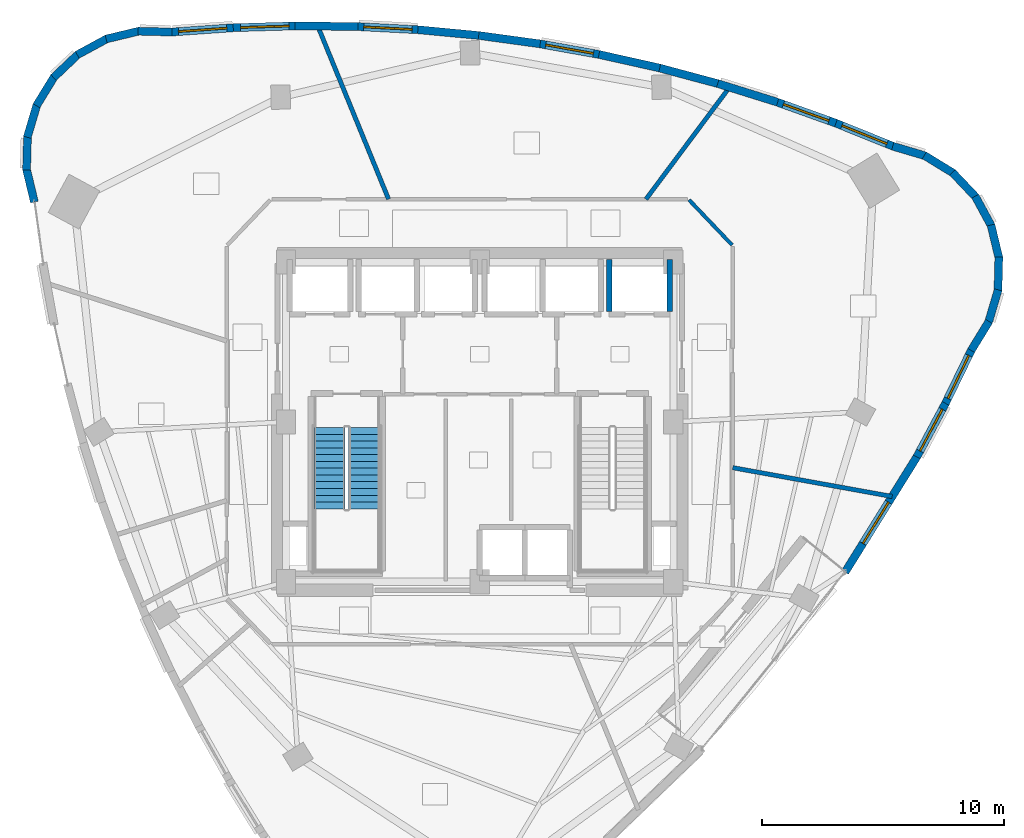
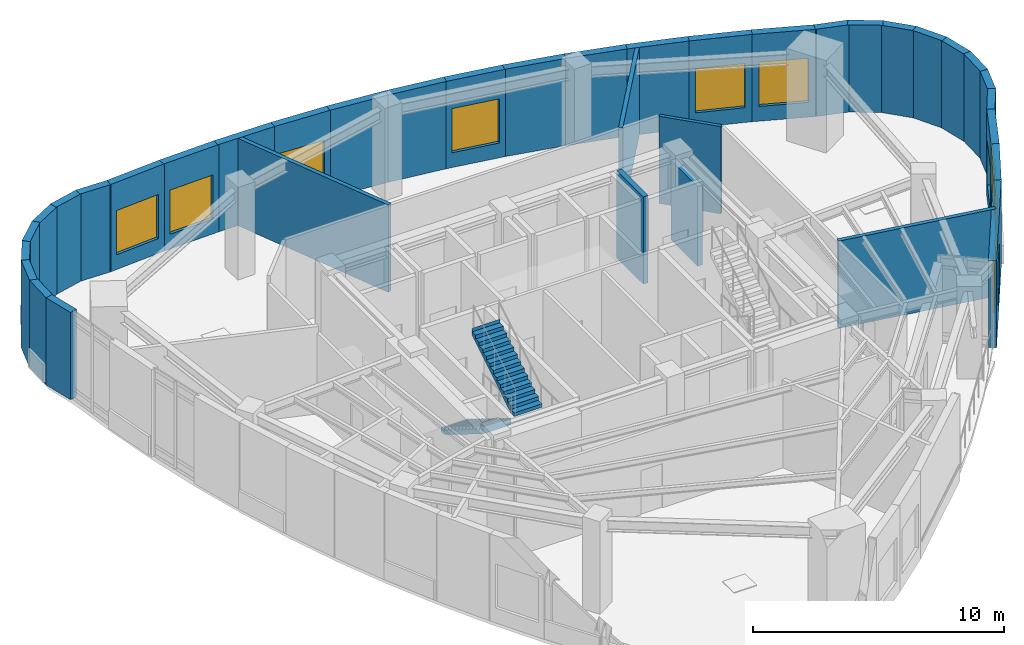
# One storey, part 10 of 14: 37 walls, 9 windows, 2 stair flights, 9 openings, 1 element without a shape of its own.
"""IFC4 building model written with IfcOpenShell, lengths in metres."""

from ifc_helpers import new_model, si_unit, direction, frame, frame_2d, origin, place, context, subcontext, project, spatial, polyline, rectangle, outline, extrude, material, layer, layer_set, type_object, element, fill, aggregate, save


model = new_model("IFC4")

# Units and contexts
model_context = context("Model", 3, precision=1e-05, world=origin(), true_north=direction((0.0, 1.0)))
body_context = subcontext(model_context, "Body", "Model", "MODEL_VIEW")
ifc_project = project(units=[si_unit("LENGTHUNIT", "METRE"), si_unit("AREAUNIT", "SQUARE_METRE"), si_unit("VOLUMEUNIT", "CUBIC_METRE"), si_unit("PLANEANGLEUNIT", "RADIAN"), si_unit("MASSUNIT", "GRAM", prefix="KILO")], contexts=[model_context])

# Site, building, storey
site_placement = place(None, origin())
site = spatial("IfcSite", under=ifc_project, at=site_placement, CompositionType="ELEMENT")
building_placement = place(site_placement, origin())
building = spatial("IfcBuilding", under=site, at=building_placement, Name="Ndelora Gate Hotel", CompositionType="ELEMENT")
storey_placement = place(building_placement, frame((0.0, 0.0, 178.25)))
storey = spatial("IfcBuildingStorey", under=building, at=storey_placement, Name="L44", CompositionType="ELEMENT", Elevation=178.25)

# Walls
ifc_material_1 = material(Name="Acoustic Double-Stud Gypsum Assembly", Category="gypsum")
ifc_layer_1 = layer(ifc_material_1, 0.179931640625)
ifc_layer_set_1 = layer_set([ifc_layer_1], Name="Acoustic Double-Stud Gypsum Assembly")
wall_type_1 = type_object("IfcWallType", Name="WL-ACOUST-180", PredefinedType="PARTITIONING", material=ifc_layer_set_1)
wall_1_placement = place(storey_placement, frame((10.449951171875, -1.8896484375, 0.0), z_axis=(0.0, 0.0, 1.0), x_axis=(0.984042819354, -0.177931811879, 0.0)))
element("IfcWall", 1, at=wall_1_placement, inside=storey, type_object=wall_type_1, Name="L44 Interior Wall IW-3", PredefinedType="PARTITIONING", context=body_context, shape_type="SweptSolid", body=[
    extrude(rectangle(XDim=6.691650390625, YDim=0.179931640625, at=frame_2d((3.345703125, 0.0))), origin(), (0.0, 0.0, 1.0), 4.25),
])
wall_2_placement = place(storey_placement, frame((6.866455078125, 9.199951171875, 0.0), z_axis=(0.0, 0.0, 1.0), x_axis=(0.598116454099, 0.80140920093, 0.0)))
element("IfcWall", 2, at=wall_2_placement, inside=storey, type_object=wall_type_1, Name="L44 Interior Wall IW-3", PredefinedType="PARTITIONING", context=body_context, shape_type="SweptSolid", body=[
    extrude(rectangle(XDim=5.7705078125, YDim=0.179931640625, at=frame_2d((2.88525390625, 0.0))), origin(), (0.0, 0.0, 1.0), 4.25),
])
wall_3_placement = place(storey_placement, frame((-3.763916015625, 9.199951171875, 0.0), z_axis=(0.0, 0.0, 1.0), x_axis=(-0.378637768392, 0.92554494237, 0.0)))
element("IfcWall", 3, at=wall_3_placement, inside=storey, type_object=wall_type_1, Name="L44 Interior Wall IW-3", PredefinedType="PARTITIONING", context=body_context, shape_type="SweptSolid", body=[
    extrude(rectangle(XDim=7.724609375, YDim=0.179931640625, at=frame_2d((3.8623046875, 0.0))), origin(), (0.0, 0.0, 1.0), 4.25),
])
ifc_material_2 = material(Name="Clay Brick Masonry", Category="masonry")
ifc_layer_2 = layer(ifc_material_2, 0.330078125)
ifc_layer_set_2 = layer_set([ifc_layer_2], Name="Clay Brick Masonry")
wall_type_2 = type_object("IfcWallType", Name="WL-BRICK-330", PredefinedType="SOLIDWALL", material=ifc_layer_set_2)
wall_4_placement = place(storey_placement, frame((-14.11279296875, 16.14013671875, 0.0), z_axis=(0.0, 0.0, 1.0), x_axis=(0.999656913907, -0.02619264168, 0.0)))
element("IfcWall", 4, at=wall_4_placement, inside=storey, type_object=wall_type_2, Name="L44 Tower Brick Pier-and-Spandrel Wall TWR-1", PredefinedType="SOLIDWALL", context=body_context, shape_type="SweptSolid", body=[
    extrude(rectangle(XDim=1.407470703125, YDim=0.330078125, at=frame_2d((0.70361328125, 0.0))), origin(), (0.0, 0.0, 1.0), 4.25),
])
wall_5_placement = place(storey_placement, frame((-15.43212890625, 15.81689453125, 0.0), z_axis=(0.0, 0.0, 1.0), x_axis=(0.972395175274, 0.233340144647, 0.0)))
element("IfcWall", 5, at=wall_5_placement, inside=storey, type_object=wall_type_2, Name="L44 Tower Brick Pier-and-Spandrel Wall TWR-2", PredefinedType="SOLIDWALL", context=body_context, shape_type="SweptSolid", body=[
    extrude(rectangle(XDim=1.4072265625, YDim=0.330078125, at=frame_2d((0.70361328125, 0.0))), origin(), (0.0, 0.0, 1.0), 4.25),
])
for number, where, z_axis, x_axis, name in (
    (6, (-16.622802734375, 15.1630859375, 0.0), (0.0, 0.0, 1.0), (0.8789012206, 0.47700382014, 0.0), "L44 Tower Brick Pier-and-Spandrel Wall TWR-3"),
    (7, (-17.603515625, 14.22314453125, 0.0), (0.0, 0.0, 1.0), (0.725254907563, 0.688480442028, 0.0), "L44 Tower Brick Pier-and-Spandrel Wall TWR-4"),
):
    element("IfcWall", number, at=place(storey_placement, frame(where, z_axis=z_axis, x_axis=x_axis)), inside=storey, type_object=wall_type_2, Name=name, PredefinedType="SOLIDWALL", context=body_context, shape_type="SweptSolid", body=[
        extrude(rectangle(XDim=1.407470703125, YDim=0.330078125, at=frame_2d((0.70361328125, 0.0))), origin(), (0.0, 0.0, 1.0), 4.25),
    ])
wall_6_placement = place(storey_placement, frame((-18.307861328125, 13.061767578125, 0.0), z_axis=(0.0, 0.0, 1.0), x_axis=(0.522509174355, 0.852633662668, 0.0)))
element("IfcWall", 8, at=wall_6_placement, inside=storey, type_object=wall_type_2, Name="L44 Tower Brick Pier-and-Spandrel Wall TWR-5", PredefinedType="SOLIDWALL", context=body_context, shape_type="SweptSolid", body=[
    extrude(rectangle(XDim=1.4072265625, YDim=0.330078125, at=frame_2d((0.70361328125, 0.0))), origin(), (0.0, 0.0, 1.0), 4.25),
])
wall_7_placement = place(storey_placement, frame((-18.6875, 11.75732421875, 0.0), z_axis=(0.0, 0.0, 1.0), x_axis=(0.284100140437, 0.958794613149, 0.0)))
element("IfcWall", 9, at=wall_7_placement, inside=storey, type_object=wall_type_2, Name="L44 Tower Brick Pier-and-Spandrel Wall TWR-6", PredefinedType="SOLIDWALL", context=body_context, shape_type="SweptSolid", body=[
    extrude(rectangle(XDim=1.40771484375, YDim=0.330078125, at=frame_2d((0.703857421875, 0.0))), origin(), (0.0, 0.0, 1.0), 4.25),
])
for number, where, z_axis, x_axis, name in (
    (10, (-18.716552734375, 10.3994140625, 0.0), (0.0, 0.0, 1.0), (0.02619264168, 0.999656913907, 0.0), "L44 Tower Brick Pier-and-Spandrel Wall TWR-7"),
    (11, (-18.39306640625, 9.080078125, 0.0), (0.0, 0.0, 1.0), (-0.233464793771, 0.972365255482, 0.0), "L44 Tower Brick Pier-and-Spandrel Wall TWR-8"),
):
    element("IfcWall", number, at=place(storey_placement, frame(where, z_axis=z_axis, x_axis=x_axis)), inside=storey, type_object=wall_type_2, Name=name, PredefinedType="SOLIDWALL", context=body_context, shape_type="SweptSolid", body=[
        extrude(rectangle(XDim=1.407470703125, YDim=0.330078125, at=frame_2d((0.70361328125, 0.0))), origin(), (0.0, 0.0, 1.0), 4.25),
    ])

# Wall, opening, window
wall_8_placement = place(storey_placement, frame((18.079345703125, -1.40185546875, 0.0), z_axis=(0.0, 0.0, 1.0), x_axis=(-0.528240348391, -0.849094891241, 0.0)))
wall_8 = element("IfcWall", 12, at=wall_8_placement, inside=storey, type_object=wall_type_2, Name="L44 Tower Brick Pier-and-Spandrel Wall TWR-36", PredefinedType="SOLIDWALL", context=body_context, shape_type="SweptSolid", body=[
    extrude(rectangle(XDim=5.656494140625, YDim=0.330078125, at=frame_2d((2.828125, 0.0))), origin(), (0.0, 0.0, 1.0), 4.25),
])
opening_1_placement = place(wall_8_placement, frame((2.260009765625, 0.0, 0.719970703125)))
opening_1 = element("IfcOpeningElement", 13, at=opening_1_placement, cuts=wall_8, Name="Opening W05", PredefinedType="OPENING", context=body_context, shape_type="SweptSolid", body=[
    extrude(rectangle(XDim=2.0, YDim=2.14990234375, at=frame_2d((1.0, 1.074951171875))), frame((0.0, 0.175048828125, 0.0), z_axis=(0.0, -1.0, 0.0), x_axis=(1.0, 0.0, 0.0)), (0.0, 0.0, 1.0), 0.35009765625),
])
ifc_material_3 = material(Name="Insulated Low-E Double Glazing in Bronze Aluminium Frame", Category="aluminium")
window_type = type_object("IfcWindowType", Name="WN-SKY-2000", PartitioningType="SINGLE_PANEL", PredefinedType="WINDOW", material=ifc_material_3)
window_1_placement = place(opening_1_placement, origin())
window_1 = element("IfcWindow", 14, at=window_1_placement, inside=storey, type_object=window_type, Name="L44 Deep-Set Brick-Pier Window W05", OverallHeight=2.14990234375, OverallWidth=2.0, PartitioningType="SINGLE_PANEL", PredefinedType="WINDOW", context=body_context, shape_type="SweptSolid", body=[
    extrude(rectangle(XDim=2.0, YDim=2.14990234375, at=frame_2d((1.0, 1.074951171875))), frame((0.0, 0.030029296875, 0.0), z_axis=(0.0, -1.0, 0.0), x_axis=(1.0, 0.0, 0.0)), (0.0, 0.0, 1.0), 0.06005859375),
])
fill(opening_1, window_1)

wall_9_placement = place(storey_placement, frame((19.238525390625, 0.7666015625, 0.0), z_axis=(0.0, 0.0, 1.0), x_axis=(-0.472067478414, -0.881562417429, 0.0)))
wall_9 = element("IfcWall", 15, at=wall_9_placement, inside=storey, type_object=wall_type_2, Name="L44 Tower Brick Pier-and-Spandrel Wall TWR-37", PredefinedType="SOLIDWALL", context=body_context, shape_type="SweptSolid", body=[
    extrude(rectangle(XDim=2.5087890625, YDim=0.330078125, at=frame_2d((1.25439453125, 0.0))), origin(), (0.0, 0.0, 1.0), 4.25),
])
opening_2_placement = place(wall_9_placement, frame((0.279296875, 0.0, 0.719970703125)))
opening_2 = element("IfcOpeningElement", 16, at=opening_2_placement, cuts=wall_9, Name="Opening W05", PredefinedType="OPENING", context=body_context, shape_type="SweptSolid", body=[
    extrude(rectangle(XDim=1.949951171875, YDim=2.14990234375, at=frame_2d((0.97509765625, 1.074951171875))), frame((0.0, 0.175048828125, 0.0), z_axis=(0.0, -1.0, 0.0), x_axis=(1.0, 0.0, 0.0)), (0.0, 0.0, 1.0), 0.35009765625),
])
window_2_placement = place(opening_2_placement, origin())
window_2 = element("IfcWindow", 17, at=window_2_placement, inside=storey, type_object=window_type, Name="L44 Deep-Set Brick-Pier Window W05", OverallHeight=2.14990234375, OverallWidth=1.949951171875, PartitioningType="SINGLE_PANEL", PredefinedType="WINDOW", context=body_context, shape_type="SweptSolid", body=[
    extrude(rectangle(XDim=1.949951171875, YDim=2.14990234375, at=frame_2d((0.97509765625, 1.074951171875))), frame((0.0, 0.030029296875, 0.0), z_axis=(0.0, -1.0, 0.0), x_axis=(1.0, 0.0, 0.0)), (0.0, 0.0, 1.0), 0.06005859375),
])
fill(opening_2, window_2)

wall_10_placement = place(storey_placement, frame((20.32275390625, 2.995849609375, 0.0), z_axis=(0.0, 0.0, 1.0), x_axis=(-0.437689337906, -0.899126266708, 0.0)))
wall_10 = element("IfcWall", 18, at=wall_10_placement, inside=storey, type_object=wall_type_2, Name="L44 Tower Brick Pier-and-Spandrel Wall TWR-38", PredefinedType="SOLIDWALL", context=body_context, shape_type="SweptSolid", body=[
    extrude(rectangle(XDim=2.529052734375, YDim=0.330078125, at=frame_2d((1.2646484375, 0.0))), origin(), (0.0, 0.0, 1.0), 4.25),
])
opening_3_placement = place(wall_10_placement, frame((0.279541015625, 0.0, 0.719970703125)))
opening_3 = element("IfcOpeningElement", 19, at=opening_3_placement, cuts=wall_10, Name="Opening W05", PredefinedType="OPENING", context=body_context, shape_type="SweptSolid", body=[
    extrude(rectangle(XDim=1.969970703125, YDim=2.14990234375, at=frame_2d((0.98486328125, 1.074951171875))), frame((0.0, 0.175048828125, 0.0), z_axis=(0.0, -1.0, 0.0), x_axis=(1.0, 0.0, 0.0)), (0.0, 0.0, 1.0), 0.35009765625),
])
window_3_placement = place(opening_3_placement, origin())
window_3 = element("IfcWindow", 20, at=window_3_placement, inside=storey, type_object=window_type, Name="L44 Deep-Set Brick-Pier Window W05", OverallHeight=2.14990234375, OverallWidth=1.969970703125, PartitioningType="SINGLE_PANEL", PredefinedType="WINDOW", context=body_context, shape_type="SweptSolid", body=[
    extrude(rectangle(XDim=1.969970703125, YDim=2.14990234375, at=frame_2d((0.98486328125, 1.074951171875))), frame((0.0, 0.030029296875, 0.0), z_axis=(0.0, -1.0, 0.0), x_axis=(1.0, 0.0, 0.0)), (0.0, 0.0, 1.0), 0.06005859375),
])
fill(opening_3, window_3)

# Walls
wall_11_placement = place(storey_placement, frame((21.0341796875, 4.152099609375, 0.0), z_axis=(0.0, 0.0, 1.0), x_axis=(-0.522431898615, -0.852681013809, 0.0)))
element("IfcWall", 21, at=wall_11_placement, inside=storey, type_object=wall_type_2, Name="L44 Tower Brick Pier-and-Spandrel Wall TWR-39", PredefinedType="SOLIDWALL", context=body_context, shape_type="SweptSolid", body=[
    extrude(rectangle(XDim=1.407470703125, YDim=0.330078125, at=frame_2d((0.70361328125, 0.0))), origin(), (0.0, 0.0, 1.0), 4.25),
])
wall_12_placement = place(storey_placement, frame((21.413818359375, 5.456298828125, 0.0), z_axis=(0.0, 0.0, 1.0), x_axis=(-0.284100140437, -0.958794613149, 0.0)))
element("IfcWall", 22, at=wall_12_placement, inside=storey, type_object=wall_type_2, Name="L44 Tower Brick Pier-and-Spandrel Wall TWR-40", PredefinedType="SOLIDWALL", context=body_context, shape_type="SweptSolid", body=[
    extrude(rectangle(XDim=1.40771484375, YDim=0.330078125, at=frame_2d((0.703857421875, 0.0))), origin(), (0.0, 0.0, 1.0), 4.25),
])
for number, where, z_axis, x_axis, name in (
    (23, (21.44287109375, 6.814208984375, 0.0), (0.0, 0.0, 1.0), (-0.02619264168, -0.999656913907, 0.0), "L44 Tower Brick Pier-and-Spandrel Wall TWR-41"),
    (24, (21.119384765625, 8.133544921875, 0.0), (0.0, 0.0, 1.0), (0.233464793771, -0.972365255482, 0.0), "L44 Tower Brick Pier-and-Spandrel Wall TWR-42"),
):
    element("IfcWall", number, at=place(storey_placement, frame(where, z_axis=z_axis, x_axis=x_axis)), inside=storey, type_object=wall_type_2, Name=name, PredefinedType="SOLIDWALL", context=body_context, shape_type="SweptSolid", body=[
        extrude(rectangle(XDim=1.407470703125, YDim=0.330078125, at=frame_2d((0.70361328125, 0.0))), origin(), (0.0, 0.0, 1.0), 4.25),
    ])
wall_13_placement = place(storey_placement, frame((20.4658203125, 9.32421875, 0.0), z_axis=(0.0, 0.0, 1.0), x_axis=(0.477076549129, -0.878861744685, 0.0)))
element("IfcWall", 25, at=wall_13_placement, inside=storey, type_object=wall_type_2, Name="L44 Tower Brick Pier-and-Spandrel Wall TWR-43", PredefinedType="SOLIDWALL", context=body_context, shape_type="SweptSolid", body=[
    extrude(rectangle(XDim=1.4072265625, YDim=0.330078125, at=frame_2d((0.70361328125, 0.0))), origin(), (0.0, 0.0, 1.0), 4.25),
])
for number, where, z_axis, x_axis, name in (
    (26, (19.52587890625, 10.304931640625, 0.0), (0.0, 0.0, 1.0), (0.688480442028, -0.725254907563, 0.0), "L44 Tower Brick Pier-and-Spandrel Wall TWR-44"),
    (27, (18.364501953125, 11.00927734375, 0.0), (0.0, 0.0, 1.0), (0.852556375324, -0.522635271384, 0.0), "L44 Tower Brick Pier-and-Spandrel Wall TWR-45"),
    (28, (17.060302734375, 11.388916015625, 0.0), (0.0, 0.0, 1.0), (0.958780610545, -0.284147392812, 0.0), "L44 Tower Brick Pier-and-Spandrel Wall TWR-46"),
):
    element("IfcWall", number, at=place(storey_placement, frame(where, z_axis=z_axis, x_axis=x_axis)), inside=storey, type_object=wall_type_2, Name=name, PredefinedType="SOLIDWALL", context=body_context, shape_type="SweptSolid", body=[
        extrude(rectangle(XDim=1.407470703125, YDim=0.330078125, at=frame_2d((0.70361328125, 0.0))), origin(), (0.0, 0.0, 1.0), 4.25),
    ])

# Wall, opening, window
wall_14_placement = place(storey_placement, frame((14.667236328125, 12.35791015625, 0.0), z_axis=(0.0, 0.0, 1.0), x_axis=(0.927223872231, -0.374507530985, 0.0)))
wall_14 = element("IfcWall", 29, at=wall_14_placement, inside=storey, type_object=wall_type_2, Name="L44 Tower Brick Pier-and-Spandrel Wall TWR-47", PredefinedType="SOLIDWALL", context=body_context, shape_type="SweptSolid", body=[
    extrude(rectangle(XDim=2.631591796875, YDim=0.330078125, at=frame_2d((1.31591796875, 0.0))), origin(), (0.0, 0.0, 1.0), 4.25),
])
opening_4_placement = place(wall_14_placement, frame((0.31591796875, 0.0, 0.719970703125)))
opening_4 = element("IfcOpeningElement", 30, at=opening_4_placement, cuts=wall_14, Name="Opening W05", PredefinedType="OPENING", context=body_context, shape_type="SweptSolid", body=[
    extrude(rectangle(XDim=2.0, YDim=2.14990234375, at=frame_2d((1.0, 1.074951171875))), frame((0.0, 0.175048828125, 0.0), z_axis=(0.0, -1.0, 0.0), x_axis=(1.0, 0.0, 0.0)), (0.0, 0.0, 1.0), 0.35009765625),
])
window_4_placement = place(opening_4_placement, origin())
window_4 = element("IfcWindow", 31, at=window_4_placement, inside=storey, type_object=window_type, Name="L44 Deep-Set Brick-Pier Window W05", OverallHeight=2.14990234375, OverallWidth=2.0, PartitioningType="SINGLE_PANEL", PredefinedType="WINDOW", context=body_context, shape_type="SweptSolid", body=[
    extrude(rectangle(XDim=2.0, YDim=2.14990234375, at=frame_2d((1.0, 1.074951171875))), frame((0.0, 0.030029296875, 0.0), z_axis=(0.0, -1.0, 0.0), x_axis=(1.0, 0.0, 0.0)), (0.0, 0.0, 1.0), 0.06005859375),
])
fill(opening_4, window_4)

wall_15_placement = place(storey_placement, frame((12.256591796875, 13.2197265625, 0.0), z_axis=(0.0, 0.0, 1.0), x_axis=(0.94149404684, -0.337029612594, 0.0)))
wall_15 = element("IfcWall", 32, at=wall_15_placement, inside=storey, type_object=wall_type_2, Name="L44 Tower Brick Pier-and-Spandrel Wall TWR-48", PredefinedType="SOLIDWALL", context=body_context, shape_type="SweptSolid", body=[
    extrude(rectangle(XDim=2.60986328125, YDim=0.330078125, at=frame_2d((1.304931640625, 0.0))), origin(), (0.0, 0.0, 1.0), 4.25),
])
opening_5_placement = place(wall_15_placement, frame((0.304931640625, 0.0, 0.719970703125)))
opening_5 = element("IfcOpeningElement", 33, at=opening_5_placement, cuts=wall_15, Name="Opening W05", PredefinedType="OPENING", context=body_context, shape_type="SweptSolid", body=[
    extrude(rectangle(XDim=2.0, YDim=2.14990234375, at=frame_2d((1.0, 1.074951171875))), frame((0.0, 0.175048828125, 0.0), z_axis=(0.0, -1.0, 0.0), x_axis=(1.0, 0.0, 0.0)), (0.0, 0.0, 1.0), 0.35009765625),
])
window_5_placement = place(opening_5_placement, origin())
window_5 = element("IfcWindow", 34, at=window_5_placement, inside=storey, type_object=window_type, Name="L44 Deep-Set Brick-Pier Window W05", OverallHeight=2.14990234375, OverallWidth=2.0, PartitioningType="SINGLE_PANEL", PredefinedType="WINDOW", context=body_context, shape_type="SweptSolid", body=[
    extrude(rectangle(XDim=2.0, YDim=2.14990234375, at=frame_2d((1.0, 1.074951171875))), frame((0.0, 0.030029296875, 0.0), z_axis=(0.0, -1.0, 0.0), x_axis=(1.0, 0.0, 0.0)), (0.0, 0.0, 1.0), 0.06005859375),
])
fill(opening_5, window_5)

# Walls
wall_16_placement = place(storey_placement, frame((9.829345703125, 13.977294921875, 0.0), z_axis=(0.0, 0.0, 1.0), x_axis=(0.954466572658, -0.298317886956, 0.0)))
element("IfcWall", 35, at=wall_16_placement, inside=storey, type_object=wall_type_2, Name="L44 Tower Brick Pier-and-Spandrel Wall TWR-49", PredefinedType="SOLIDWALL", context=body_context, shape_type="SweptSolid", body=[
    extrude(rectangle(XDim=2.5927734375, YDim=0.330078125, at=frame_2d((1.29638671875, 0.0))), origin(), (0.0, 0.0, 1.0), 4.25),
])
wall_17_placement = place(storey_placement, frame((7.385986328125, 14.63037109375, 0.0), z_axis=(0.0, 0.0, 1.0), x_axis=(0.965959456539, -0.258693502667, 0.0)))
element("IfcWall", 36, at=wall_17_placement, inside=storey, type_object=wall_type_2, Name="L44 Tower Brick Pier-and-Spandrel Wall TWR-50", PredefinedType="SOLIDWALL", context=body_context, shape_type="SweptSolid", body=[
    extrude(rectangle(XDim=2.579345703125, YDim=0.330078125, at=frame_2d((1.28955078125, 0.0))), origin(), (0.0, 0.0, 1.0), 4.25),
])
wall_18_placement = place(storey_placement, frame((4.92578125, 15.17919921875, 0.0), z_axis=(0.0, 0.0, 1.0), x_axis=(0.975911395469, -0.218167248213, 0.0)))
element("IfcWall", 37, at=wall_18_placement, inside=storey, type_object=wall_type_2, Name="L44 Tower Brick Pier-and-Spandrel Wall TWR-51", PredefinedType="SOLIDWALL", context=body_context, shape_type="SweptSolid", body=[
    extrude(rectangle(XDim=2.570556640625, YDim=0.330078125, at=frame_2d((1.28515625, 0.0))), origin(), (0.0, 0.0, 1.0), 4.25),
])

# Wall, opening, window
wall_19_placement = place(storey_placement, frame((2.44921875, 15.623779296875, 0.0), z_axis=(0.0, 0.0, 1.0), x_axis=(0.984201564883, -0.17705162999, 0.0)))
wall_19 = element("IfcWall", 38, at=wall_19_placement, inside=storey, type_object=wall_type_2, Name="L44 Tower Brick Pier-and-Spandrel Wall TWR-52", PredefinedType="SOLIDWALL", context=body_context, shape_type="SweptSolid", body=[
    extrude(rectangle(XDim=2.566162109375, YDim=0.330078125, at=frame_2d((1.283203125, 0.0))), origin(), (0.0, 0.0, 1.0), 4.25),
])
opening_6_placement = place(wall_19_placement, frame((0.282958984375, 0.0, 0.719970703125)))
opening_6 = element("IfcOpeningElement", 39, at=opening_6_placement, cuts=wall_19, Name="Opening W05", PredefinedType="OPENING", context=body_context, shape_type="SweptSolid", body=[
    extrude(rectangle(XDim=2.0, YDim=2.14990234375, at=frame_2d((1.0, 1.074951171875))), frame((0.0, 0.175048828125, 0.0), z_axis=(0.0, -1.0, 0.0), x_axis=(1.0, 0.0, 0.0)), (0.0, 0.0, 1.0), 0.35009765625),
])
window_6_placement = place(opening_6_placement, origin())
window_6 = element("IfcWindow", 40, at=window_6_placement, inside=storey, type_object=window_type, Name="L44 Deep-Set Brick-Pier Window W05", OverallHeight=2.14990234375, OverallWidth=2.0, PartitioningType="SINGLE_PANEL", PredefinedType="WINDOW", context=body_context, shape_type="SweptSolid", body=[
    extrude(rectangle(XDim=2.0, YDim=2.14990234375, at=frame_2d((1.0, 1.074951171875))), frame((0.0, 0.030029296875, 0.0), z_axis=(0.0, -1.0, 0.0), x_axis=(1.0, 0.0, 0.0)), (0.0, 0.0, 1.0), 0.06005859375),
])
fill(opening_6, window_6)

# Walls
wall_20_placement = place(storey_placement, frame((-0.043701171875, 15.964111328125, 0.0), z_axis=(0.0, 0.0, 1.0), x_axis=(0.990754753975, -0.135665093064, 0.0)))
element("IfcWall", 41, at=wall_20_placement, inside=storey, type_object=wall_type_2, Name="L44 Tower Brick Pier-and-Spandrel Wall TWR-53", PredefinedType="SOLIDWALL", context=body_context, shape_type="SweptSolid", body=[
    extrude(rectangle(XDim=2.566162109375, YDim=0.330078125, at=frame_2d((1.283203125, 0.0))), origin(), (0.0, 0.0, 1.0), 4.25),
])
wall_21_placement = place(storey_placement, frame((-2.55322265625, 16.200439453125, 0.0), z_axis=(0.0, 0.0, 1.0), x_axis=(0.995560547184, -0.094123306836, 0.0)))
element("IfcWall", 42, at=wall_21_placement, inside=storey, type_object=wall_type_2, Name="L44 Tower Brick Pier-and-Spandrel Wall TWR-54", PredefinedType="SOLIDWALL", context=body_context, shape_type="SweptSolid", body=[
    extrude(rectangle(XDim=2.570556640625, YDim=0.330078125, at=frame_2d((1.28515625, 0.0))), origin(), (0.0, 0.0, 1.0), 4.25),
])

# Wall, opening, window
wall_22_placement = place(storey_placement, frame((-5.0791015625, 16.332275390625, 0.0), z_axis=(0.0, 0.0, 1.0), x_axis=(0.998619136425, -0.052533992485, 0.0)))
wall_22 = element("IfcWall", 43, at=wall_22_placement, inside=storey, type_object=wall_type_2, Name="L44 Tower Brick Pier-and-Spandrel Wall TWR-55", PredefinedType="SOLIDWALL", context=body_context, shape_type="SweptSolid", body=[
    extrude(rectangle(XDim=2.579345703125, YDim=0.330078125, at=frame_2d((1.28955078125, 0.0))), origin(), (0.0, 0.0, 1.0), 4.25),
])
opening_7_placement = place(wall_22_placement, frame((0.289794921875, 0.0, 0.719970703125)))
opening_7 = element("IfcOpeningElement", 44, at=opening_7_placement, cuts=wall_22, Name="Opening W05", PredefinedType="OPENING", context=body_context, shape_type="SweptSolid", body=[
    extrude(rectangle(XDim=2.0, YDim=2.14990234375, at=frame_2d((1.0, 1.074951171875))), frame((0.0, 0.175048828125, 0.0), z_axis=(0.0, -1.0, 0.0), x_axis=(1.0, 0.0, 0.0)), (0.0, 0.0, 1.0), 0.35009765625),
])
window_7_placement = place(opening_7_placement, origin())
window_7 = element("IfcWindow", 45, at=window_7_placement, inside=storey, type_object=window_type, Name="L44 Deep-Set Brick-Pier Window W05", OverallHeight=2.14990234375, OverallWidth=2.0, PartitioningType="SINGLE_PANEL", PredefinedType="WINDOW", context=body_context, shape_type="SweptSolid", body=[
    extrude(rectangle(XDim=2.0, YDim=2.14990234375, at=frame_2d((1.0, 1.074951171875))), frame((0.0, 0.030029296875, 0.0), z_axis=(0.0, -1.0, 0.0), x_axis=(1.0, 0.0, 0.0)), (0.0, 0.0, 1.0), 0.06005859375),
])
fill(opening_7, window_7)

# Wall
wall_23_placement = place(storey_placement, frame((-7.62158203125, 16.35986328125, 0.0), z_axis=(0.0, 0.0, 1.0), x_axis=(0.99993614345, -0.011300841704, 0.0)))
element("IfcWall", 46, at=wall_23_placement, inside=storey, type_object=wall_type_2, Name="L44 Tower Brick Pier-and-Spandrel Wall TWR-56", PredefinedType="SOLIDWALL", context=body_context, shape_type="SweptSolid", body=[
    extrude(rectangle(XDim=2.592529296875, YDim=0.330078125, at=frame_2d((1.29638671875, 0.0))), origin(), (0.0, 0.0, 1.0), 4.25),
])

# Wall, opening, window
wall_24_placement = place(storey_placement, frame((-10.180419921875, 16.283203125, 0.0), z_axis=(0.0, 0.0, 1.0), x_axis=(0.999565811964, 0.029465022531, 0.0)))
wall_24 = element("IfcWall", 47, at=wall_24_placement, inside=storey, type_object=wall_type_2, Name="L44 Tower Brick Pier-and-Spandrel Wall TWR-57", PredefinedType="SOLIDWALL", context=body_context, shape_type="SweptSolid", body=[
    extrude(rectangle(XDim=2.610107421875, YDim=0.330078125, at=frame_2d((1.30517578125, 0.0))), origin(), (0.0, 0.0, 1.0), 4.25),
])
opening_8_placement = place(wall_24_placement, frame((0.304931640625, 0.0, 0.719970703125)))
opening_8 = element("IfcOpeningElement", 48, at=opening_8_placement, cuts=wall_24, Name="Opening W05", PredefinedType="OPENING", context=body_context, shape_type="SweptSolid", body=[
    extrude(rectangle(XDim=2.0, YDim=2.14990234375, at=frame_2d((1.0, 1.074951171875))), frame((0.0, 0.175048828125, 0.0), z_axis=(0.0, -1.0, 0.0), x_axis=(1.0, 0.0, 0.0)), (0.0, 0.0, 1.0), 0.35009765625),
])
window_8_placement = place(opening_8_placement, origin())
window_8 = element("IfcWindow", 49, at=window_8_placement, inside=storey, type_object=window_type, Name="L44 Deep-Set Brick-Pier Window W05", OverallHeight=2.14990234375, OverallWidth=2.0, PartitioningType="SINGLE_PANEL", PredefinedType="WINDOW", context=body_context, shape_type="SweptSolid", body=[
    extrude(rectangle(XDim=2.0, YDim=2.14990234375, at=frame_2d((1.0, 1.074951171875))), frame((0.0, 0.030029296875, 0.0), z_axis=(0.0, -1.0, 0.0), x_axis=(1.0, 0.0, 0.0)), (0.0, 0.0, 1.0), 0.06005859375),
])
fill(opening_8, window_8)

wall_25_placement = place(storey_placement, frame((-12.755859375, 16.102294921875, 0.0), z_axis=(0.0, 0.0, 1.0), x_axis=(0.997576448788, 0.069578939514, 0.0)))
wall_25 = element("IfcWall", 50, at=wall_25_placement, inside=storey, type_object=wall_type_2, Name="L44 Tower Brick Pier-and-Spandrel Wall TWR-58", PredefinedType="SOLIDWALL", context=body_context, shape_type="SweptSolid", body=[
    extrude(rectangle(XDim=2.631591796875, YDim=0.330078125, at=frame_2d((1.31591796875, 0.0))), origin(), (0.0, 0.0, 1.0), 4.25),
])
opening_9_placement = place(wall_25_placement, frame((0.31591796875, 0.0, 0.719970703125)))
opening_9 = element("IfcOpeningElement", 51, at=opening_9_placement, cuts=wall_25, Name="Opening W05", PredefinedType="OPENING", context=body_context, shape_type="SweptSolid", body=[
    extrude(rectangle(XDim=2.0, YDim=2.14990234375, at=frame_2d((1.0, 1.074951171875))), frame((0.0, 0.175048828125, 0.0), z_axis=(0.0, -1.0, 0.0), x_axis=(1.0, 0.0, 0.0)), (0.0, 0.0, 1.0), 0.35009765625),
])
window_9_placement = place(opening_9_placement, origin())
window_9 = element("IfcWindow", 52, at=window_9_placement, inside=storey, type_object=window_type, Name="L44 Deep-Set Brick-Pier Window W05", OverallHeight=2.14990234375, OverallWidth=2.0, PartitioningType="SINGLE_PANEL", PredefinedType="WINDOW", context=body_context, shape_type="SweptSolid", body=[
    extrude(rectangle(XDim=2.0, YDim=2.14990234375, at=frame_2d((1.0, 1.074951171875))), frame((0.0, 0.030029296875, 0.0), z_axis=(0.0, -1.0, 0.0), x_axis=(1.0, 0.0, 0.0)), (0.0, 0.0, 1.0), 0.06005859375),
])
fill(opening_9, window_9)

# Walls
ifc_material_4 = material(Name="Fire-Rated Gypsum Stud Partition", Category="gypsum")
ifc_layer_3 = layer(ifc_material_4, 0.14990234375)
ifc_layer_set_3 = layer_set([ifc_layer_3], Name="Fire-Rated Gypsum Stud Partition")
wall_type_3 = type_object("IfcWallType", Name="WL-PART-150", PredefinedType="PARTITIONING", material=ifc_layer_set_3)
wall_26_placement = place(storey_placement, frame((8.647705078125, 9.1708984375, 0.0), z_axis=(0.0, 0.0, 1.0), x_axis=(0.689960858356, -0.723846678473, 0.0)))
element("IfcWall", 53, at=wall_26_placement, inside=storey, type_object=wall_type_3, Name="L44 Interior Wall IW-5", PredefinedType="PARTITIONING", context=body_context, shape_type="SweptSolid", body=[
    extrude(rectangle(XDim=2.572021484375, YDim=0.14990234375, at=frame_2d((1.2861328125, 0.0))), origin(), (0.0, 0.0, 1.0), 4.25),
])
ifc_material_5 = material(Name="Concrete C40/50", Category="concrete")
ifc_layer_4 = layer(ifc_material_5, 0.219970703125)
ifc_layer_set_4 = layer_set([ifc_layer_4], Name="Concrete C40/50")
wall_type_4 = type_object("IfcWallType", Name="WL-SHAFT-220", PredefinedType="PARTITIONING", material=ifc_layer_set_4)
wall_27_placement = place(storey_placement, frame((5.35009765625, 4.570068359375, 0.0), z_axis=(0.0, 0.0, 1.0), x_axis=(0.0, 1.0, 0.0)))
element("IfcWall", 54, at=wall_27_placement, inside=storey, type_object=wall_type_4, Name="L44 Interior Wall IW-1", PredefinedType="PARTITIONING", context=body_context, shape_type="SweptSolid", body=[
    extrude(rectangle(XDim=2.1298828125, YDim=0.219970703125, at=frame_2d((1.06494140625, 0.0))), origin(), (0.0, 0.0, 1.0), 4.25),
])
wall_28_placement = place(storey_placement, frame((7.85009765625, 4.570068359375, 0.0), z_axis=(0.0, 0.0, 1.0), x_axis=(0.0, 1.0, 0.0)))
element("IfcWall", 55, at=wall_28_placement, inside=storey, type_object=wall_type_4, Name="L44 Interior Wall IW-1", PredefinedType="PARTITIONING", context=body_context, shape_type="SweptSolid", body=[
    extrude(rectangle(XDim=2.1298828125, YDim=0.219970703125, at=frame_2d((1.06494140625, 0.0))), origin(), (0.0, 0.0, 1.0), 3.8798828125),
])

# Stair, stair flights
ifc_material_6 = material(Name="Precast concrete C40/50", Category="concrete")
stair_type = type_object("IfcStairType", Name="STR-DOG-CORE", PredefinedType="HALF_TURN_STAIR", material=ifc_material_6)
stair_placement = place(storey_placement, origin())
stair = element("IfcStair", 56, at=stair_placement, inside=storey, type_object=stair_type, Name="L44 Protected Core Exit Stair ST4", PredefinedType="HALF_TURN_STAIR")
stair_flight_type = type_object("IfcStairFlightType", Name="STF-PRECAST", PredefinedType="STRAIGHT", material=ifc_material_6)
stair_flight_1_placement = place(storey_placement, frame((-6.2099609375, -0.22998046875, 0.0), z_axis=(0.0, 0.0, 1.0), x_axis=(0.0, -1.0, 0.0)))
stair_flight_1 = element("IfcStairFlight", 57, at=stair_flight_1_placement, type_object=stair_flight_type, Name="ST4 flight 1", NumberOfRisers=13, NumberOfTreads=12, PredefinedType="STRAIGHT", RiserHeight=0.173076923, TreadLength=0.28, context=body_context, shape_type="SweptSolid", body=[
    extrude(outline(polyline([(-0.00048828125, 0.0), (-0.00048828125, 0.173095703125), (0.0, 0.173095703125), (0.280029296875, 0.173095703125), (0.280029296875, 0.34619140625), (0.56005859375, 0.34619140625), (0.56005859375, 0.519287109375), (0.840087890625, 0.519287109375), (0.840087890625, 0.6923828125), (1.1201171875, 0.6923828125), (1.1201171875, 0.865478515625), (1.39990234375, 0.865478515625), (1.39990234375, 1.03857421875), (1.679931640625, 1.03857421875), (1.679931640625, 1.21142578125), (1.9599609375, 1.21142578125), (1.9599609375, 1.384521484375), (2.239990234375, 1.384521484375), (2.239990234375, 1.5576171875), (2.52001953125, 1.5576171875), (2.52001953125, 1.730712890625), (2.800048828125, 1.730712890625), (2.800048828125, 1.90380859375), (3.080078125, 1.90380859375), (3.080078125, 2.076904296875), (3.360107421875, 2.076904296875), (3.360107421875, 2.25), (3.360595703125, 2.25), (3.360595703125, 2.070068359375), (3.360107421875, 1.900634765625), (0.28515625, 0.0), (-0.00048828125, 0.0)])), frame((0.0, 0.64013671875, 0.0), z_axis=(0.0, -1.0, 0.0), x_axis=(1.0, 0.0, 0.0)), (0.0, 0.0, 1.0), 1.280029296875),
])
stair_flight_2_placement = place(storey_placement, frame((-4.77001953125, -3.590087890625, 2.25), z_axis=(0.0, 0.0, 1.0), x_axis=(0.0, 1.0, 0.0)))
stair_flight_2 = element("IfcStairFlight", 58, at=stair_flight_2_placement, type_object=stair_flight_type, Name="ST4 flight 2", NumberOfRisers=13, NumberOfTreads=12, PredefinedType="STRAIGHT", RiserHeight=0.173076923, TreadLength=0.28, context=body_context, shape_type="SweptSolid", body=[
    extrude(outline(polyline([(-0.00048828125, 0.0), (-0.00048828125, 0.173095703125), (0.0, 0.173095703125), (0.280029296875, 0.173095703125), (0.280029296875, 0.34619140625), (0.56005859375, 0.34619140625), (0.56005859375, 0.519287109375), (0.840087890625, 0.519287109375), (0.840087890625, 0.6923828125), (1.1201171875, 0.6923828125), (1.1201171875, 0.865478515625), (1.39990234375, 0.865478515625), (1.39990234375, 1.03857421875), (1.679931640625, 1.03857421875), (1.679931640625, 1.21142578125), (1.9599609375, 1.21142578125), (1.9599609375, 1.384521484375), (2.239990234375, 1.384521484375), (2.239990234375, 1.5576171875), (2.52001953125, 1.5576171875), (2.52001953125, 1.730712890625), (2.800048828125, 1.730712890625), (2.800048828125, 1.90380859375), (3.080078125, 1.90380859375), (3.080078125, 2.076904296875), (3.360107421875, 2.076904296875), (3.360107421875, 2.25), (3.360595703125, 2.25), (3.360595703125, 2.070068359375), (3.360107421875, 1.900634765625), (0.28515625, 0.0), (-0.00048828125, 0.0)])), frame((0.0, 0.64013671875, 0.0), z_axis=(0.0, -1.0, 0.0), x_axis=(1.0, 0.0, 0.0)), (0.0, 0.0, 1.0), 1.280029296875),
])
aggregate(stair, [stair_flight_1, stair_flight_2])

save(model, "model.ifc")
